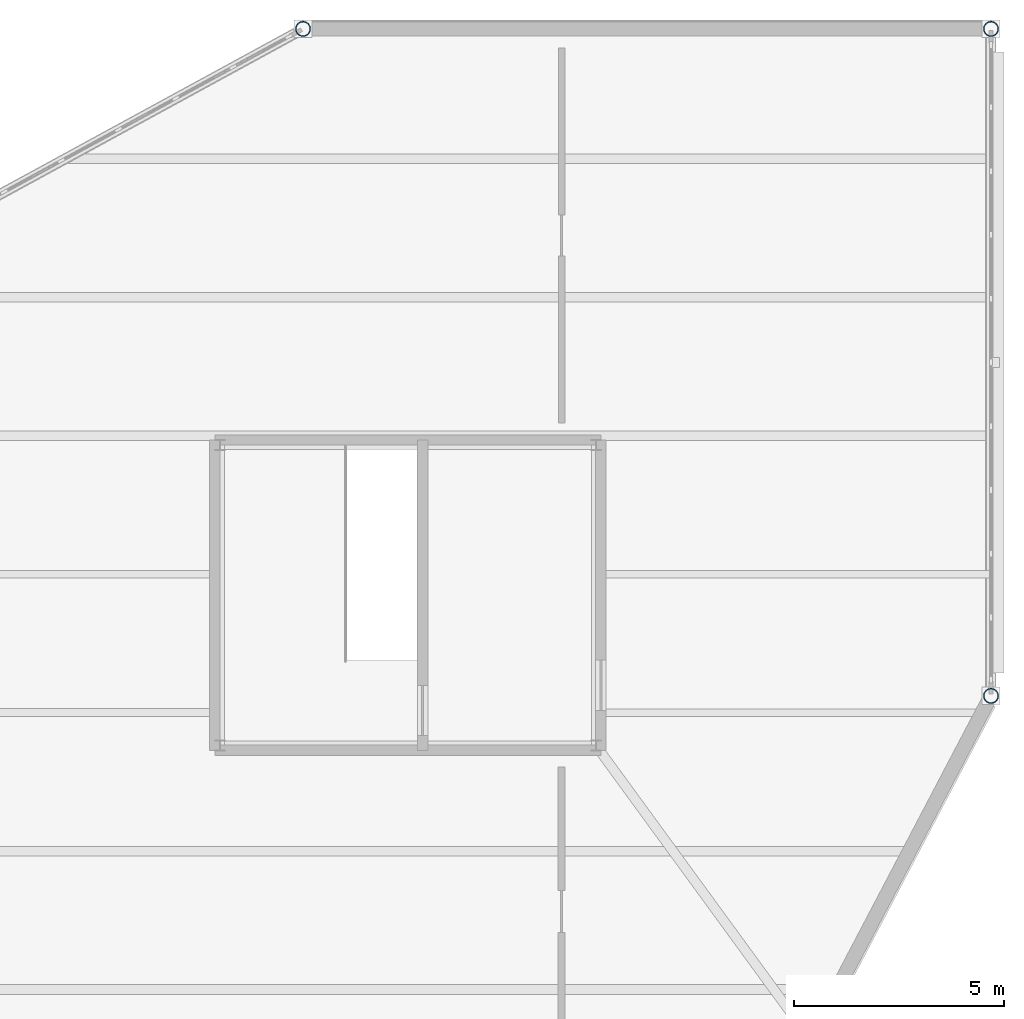
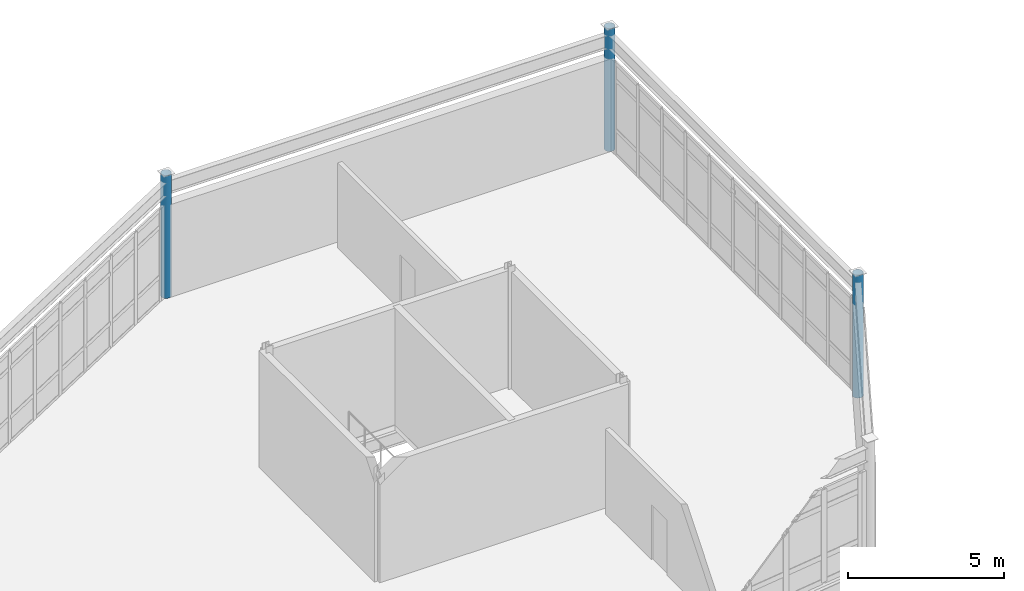
# One storey, part 21 of 114: 3 columns.
"""IFC4 building model written with IfcOpenShell, lengths in metres."""

from ifc_helpers import new_model, si_unit, direction, frame, origin, origin_2d, place, context, subcontext, project, spatial, hollow_circle, extrude, material, material_profile, profile_set, type_object, element, save


model = new_model("IFC4")

# Units and contexts
model_context = context("Model", 3, precision=1e-05, world=origin(), true_north=direction((0.0, 1.0)))
body_context = subcontext(model_context, "Body", "Model", "MODEL_VIEW")
ifc_project = project(units=[si_unit("LENGTHUNIT", "METRE"), si_unit("AREAUNIT", "SQUARE_METRE"), si_unit("VOLUMEUNIT", "CUBIC_METRE"), si_unit("PLANEANGLEUNIT", "RADIAN"), si_unit("MASSUNIT", "GRAM", prefix="KILO")], contexts=[model_context])

# Site, building, storey
site_placement = place(None, origin())
site = spatial("IfcSite", under=ifc_project, at=site_placement, CompositionType="ELEMENT")
building_placement = place(site_placement, origin())
building = spatial("IfcBuilding", under=site, at=building_placement, Name="Tameran Prism Museum", CompositionType="ELEMENT")
storey_placement = place(building_placement, frame((0.0, 0.0, 10.199951171875)))
storey = spatial("IfcBuildingStorey", under=building, at=storey_placement, Name="L02", CompositionType="ELEMENT", Elevation=10.199951171875)

# Columns
ifc_material = material(Name="Steel Grade C350L0 (350 MPa)", Category="steel")
ifc_material_profile = material_profile(ifc_material, hollow_circle(Radius=0.177734375, WallThickness=0.0126953125, at=origin_2d()))
ifc_profile_set = profile_set([ifc_material_profile])
column_type = type_object("IfcColumnType", Name="COL-CHS355", PredefinedType="COLUMN", material=ifc_profile_set)
for number, where, z_axis, x_axis, name in (
    (1, (150.0, 112.0, 0.0), (0.0, 0.0, 1.0), (1.0, 0.0, 0.0), "Column CV-63 L02"),
    (2, (166.39990234375, 96.10009765625, 0.0), (0.0, 0.0, 1.0), (1.0, 0.0, 0.0), "Column CV-71 L02"),
    (3, (166.39990234375, 112.0, 0.0), (0.0, 0.0, 1.0), (1.0, 0.0, 0.0), "Column CV-72 L02"),
):
    element("IfcColumn", number, at=place(storey_placement, frame(where, z_axis=z_axis, x_axis=x_axis)), inside=storey, type_object=column_type, Name=name, PredefinedType="COLUMN", context=body_context, shape_type="SweptSolid", body=[
        extrude(hollow_circle(Radius=0.177734375, WallThickness=0.0126953125, at=origin_2d()), origin(), (0.0, 0.0, 1.0), 4.800048828125),
    ])

save(model, "model.ifc")
